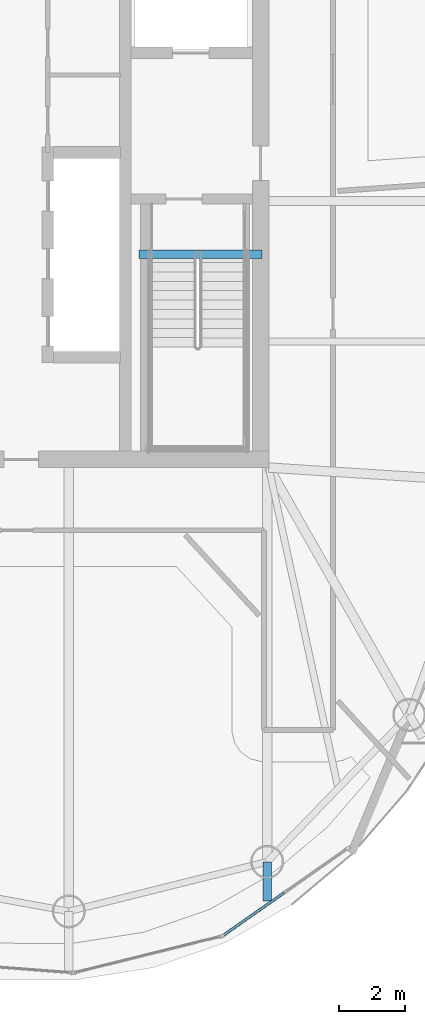
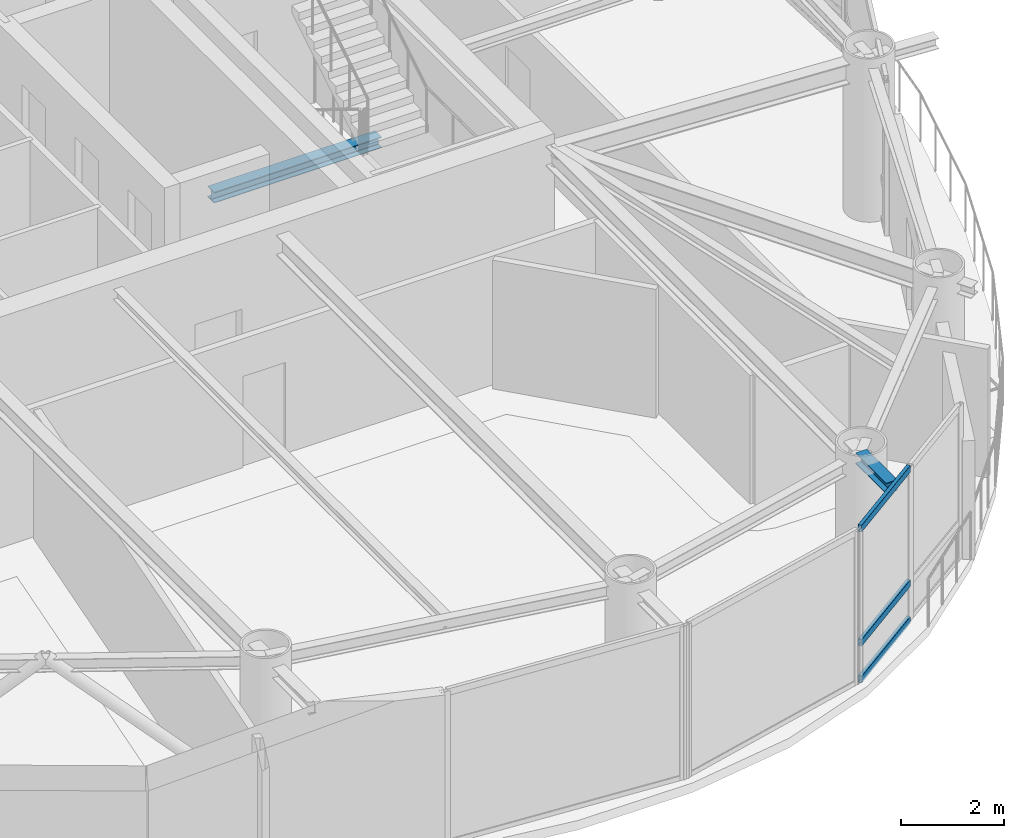
# One storey, part 7 of 23: 3 members, 2 beams, 1 element without a shape of its own.
"""IFC4 building model written with IfcOpenShell, lengths in metres."""

from ifc_helpers import new_model, si_unit, direction, frame, origin, origin_2d, place, context, subcontext, project, spatial, hollow_rectangle, i_section, extrude, material, layer, layer_set, material_profile, profile_set, type_object, element, aggregate, save


model = new_model("IFC4")

# Units and contexts
model_context = context("Model", 3, precision=1e-05, world=origin(), true_north=direction((0.0, 1.0)))
body_context = subcontext(model_context, "Body", "Model", "MODEL_VIEW")
ifc_project = project(units=[si_unit("LENGTHUNIT", "METRE"), si_unit("AREAUNIT", "SQUARE_METRE"), si_unit("VOLUMEUNIT", "CUBIC_METRE"), si_unit("PLANEANGLEUNIT", "RADIAN"), si_unit("MASSUNIT", "GRAM", prefix="KILO")], contexts=[model_context])

# Site, building, storey
site_placement = place(None, origin())
site = spatial("IfcSite", under=ifc_project, at=site_placement, CompositionType="ELEMENT")
building_placement = place(site_placement, origin())
building = spatial("IfcBuilding", under=site, at=building_placement, Name="Bramvorn Convention Spire", CompositionType="ELEMENT")
storey_placement = place(building_placement, frame((0.0, 0.0, 295.949951171875)))
storey = spatial("IfcBuildingStorey", under=building, at=storey_placement, Name="L75", CompositionType="ELEMENT", Elevation=295.949951171875)

# Beams
ifc_material_1 = material(Name="Steel CSA G40.21 Grade 350 (350W)", Category="steel")
ifc_material_profile_1 = material_profile(ifc_material_1, i_section(OverallWidth=0.25390625, OverallDepth=0.2529296875, WebThickness=0.008544921875, FlangeThickness=0.01416015625, FilletRadius=0.011962890625, at=origin_2d()))
ifc_profile_set_1 = profile_set([ifc_material_profile_1], Name="Steel CSA G40.21 Grade 350 (350W) - W250X73")
beam_type = type_object("IfcBeamType", Name="BM-W250X73", PredefinedType="BEAM", material=ifc_profile_set_1)
beam_1_placement = place(storey_placement, frame((49.199951171875, 6.60107421875, 3.49853515625), z_axis=(0.0, -1.0, 0.0), x_axis=(1.0, 0.0, 0.0)))
element("IfcBeam", 1, at=beam_1_placement, inside=storey, type_object=beam_type, Name="L75 slab-edge cantilever tip beam MC01", PredefinedType="BEAM", context=body_context, shape_type="SweptSolid", body=[
    extrude(i_section(OverallWidth=0.25390625, OverallDepth=0.2529296875, WebThickness=0.008544921875, FlangeThickness=0.01416015625, FilletRadius=0.011962890625, at=origin_2d()), origin(), (0.0, 0.0, 1.0), 1.189208984375),
])
beam_2_placement = place(storey_placement, frame((45.31005859375, 25.010009765625, -0.12646484375), z_axis=(1.0, 0.0, 0.0), x_axis=(0.0, 1.0, 0.0)))
element("IfcBeam", 2, at=beam_2_placement, inside=storey, type_object=beam_type, Name="L75 ST2 stair arrival header beam", PredefinedType="BEAM", context=body_context, shape_type="SweptSolid", body=[
    extrude(i_section(OverallWidth=0.25390625, OverallDepth=0.2529296875, WebThickness=0.008544921875, FlangeThickness=0.01416015625, FilletRadius=0.011962890625, at=origin_2d()), origin(), (0.0, 0.0, 1.0), 3.739990234375),
])

# Curtain wall, members
ifc_material_2 = material(Name="Anodised Bronze Unitised Curtain Wall", Category="aluminium")
ifc_layer = layer(ifc_material_2, 0.179931640625)
ifc_layer_set = layer_set([ifc_layer], Name="Anodised Bronze Unitised Curtain Wall - CW-OFF-FRIT")
curtain_wall_type = type_object("IfcCurtainWallType", Name="CW-OFF-FRIT", PredefinedType="USERDEFINED", material=ifc_layer_set)
curtain_wall_placement = place(storey_placement, origin())
curtain_wall = element("IfcCurtainWall", 3, at=curtain_wall_placement, inside=storey, type_object=curtain_wall_type, Name="L75 fritted glass curtain wall 01", ObjectType="UNITISED CURTAIN WALL", PredefinedType="USERDEFINED")
ifc_material_3 = material(Name="Anodised Bronze Aluminium 6063-T6", Category="aluminium")
ifc_material_profile_2 = material_profile(ifc_material_3, hollow_rectangle(XDim=0.080078125, YDim=0.159912109375, WallThickness=0.00390625, InnerFilletRadius=0.0009765625, OuterFilletRadius=0.00390625, at=origin_2d()))
ifc_profile_set_2 = profile_set([ifc_material_profile_2], Name="Anodised Bronze Aluminium 6063-T6 - CWT80X160")
member_type = type_object("IfcMemberType", Name="CW-TRN-150", PredefinedType="USERDEFINED", material=ifc_profile_set_2)
member_1_placement = place(storey_placement, frame((49.722900390625, 5.6689453125, 0.030029296875), z_axis=(-0.819216527603, -0.573484333615, 0.0), x_axis=(0.573484333615, -0.819216527603, 0.0)))
member_1 = element("IfcMember", 4, at=member_1_placement, type_object=member_type, Name="CW3 transom 2.1", ObjectType="TRANSOM", PredefinedType="USERDEFINED", context=body_context, shape_type="SweptSolid", body=[
    extrude(hollow_rectangle(XDim=0.080078125, YDim=0.159912109375, WallThickness=0.00390625, InnerFilletRadius=0.0009765625, OuterFilletRadius=0.00390625, at=origin_2d()), origin(), (0.0, 0.0, 1.0), 2.2353515625),
])
member_2_placement = place(storey_placement, frame((49.722900390625, 5.6689453125, 0.900146484375), z_axis=(-0.819216527603, -0.573484333615, 0.0), x_axis=(0.573484333615, -0.819216527603, 0.0)))
member_2 = element("IfcMember", 5, at=member_2_placement, type_object=member_type, Name="CW3 transom 2.2", ObjectType="TRANSOM", PredefinedType="USERDEFINED", context=body_context, shape_type="SweptSolid", body=[
    extrude(hollow_rectangle(XDim=0.080078125, YDim=0.159912109375, WallThickness=0.00390625, InnerFilletRadius=0.0009765625, OuterFilletRadius=0.00390625, at=origin_2d()), origin(), (0.0, 0.0, 1.0), 2.2353515625),
])
member_3_placement = place(storey_placement, frame((49.722900390625, 5.6689453125, 3.594970703125), z_axis=(-0.819216527603, -0.573484333615, 0.0), x_axis=(0.573484333615, -0.819216527603, 0.0)))
member_3 = element("IfcMember", 6, at=member_3_placement, type_object=member_type, Name="CW3 transom 2.3", ObjectType="TRANSOM", PredefinedType="USERDEFINED", context=body_context, shape_type="SweptSolid", body=[
    extrude(hollow_rectangle(XDim=0.080078125, YDim=0.159912109375, WallThickness=0.00390625, InnerFilletRadius=0.0009765625, OuterFilletRadius=0.00390625, at=origin_2d()), origin(), (0.0, 0.0, 1.0), 2.2353515625),
])
aggregate(curtain_wall, [member_1, member_2, member_3])

save(model, "model.ifc")
